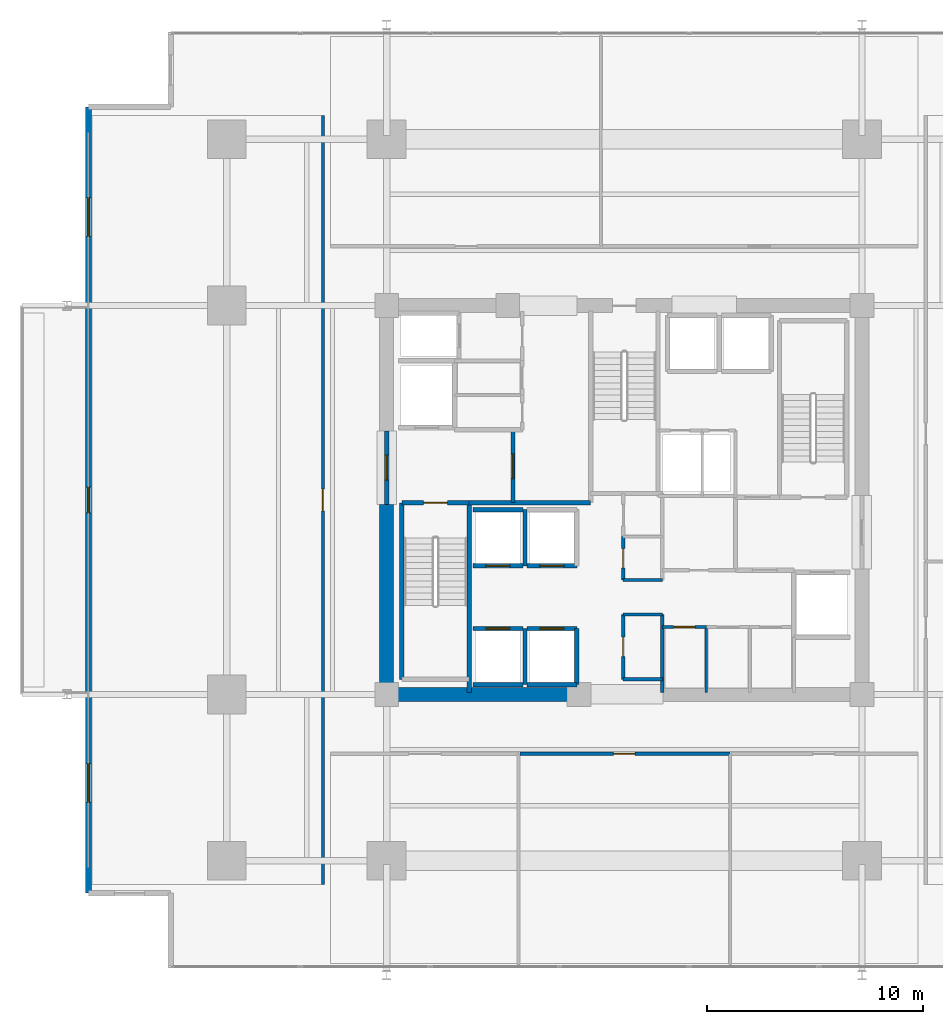
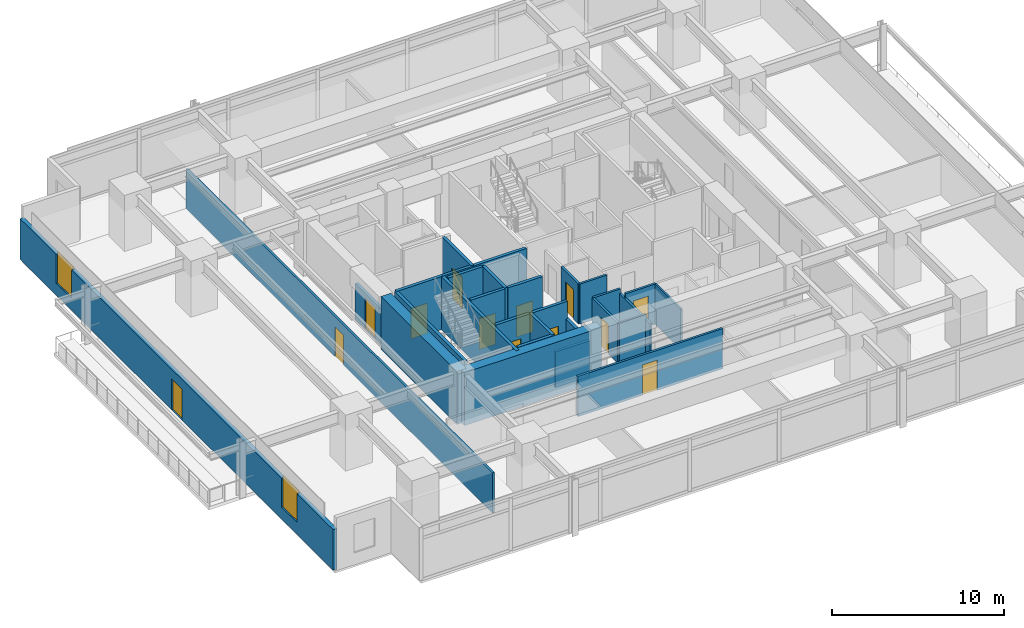
# One storey, part 14 of 21: 29 walls, 13 doors, 2 windows, 15 openings.
"""IFC4 building model written with IfcOpenShell, lengths in metres."""

from ifc_helpers import new_model, si_unit, direction, frame, frame_2d, origin, place, context, subcontext, project, spatial, rectangle, extrude, material, layer, layer_set, type_object, element, fill, save


model = new_model("IFC4")

# Units and contexts
model_context = context("Model", 3, precision=1e-05, world=origin(), true_north=direction((0.0, 1.0)))
body_context = subcontext(model_context, "Body", "Model", "MODEL_VIEW")
ifc_project = project(units=[si_unit("LENGTHUNIT", "METRE"), si_unit("AREAUNIT", "SQUARE_METRE"), si_unit("VOLUMEUNIT", "CUBIC_METRE"), si_unit("PLANEANGLEUNIT", "RADIAN"), si_unit("MASSUNIT", "GRAM", prefix="KILO")], contexts=[model_context])

# Site, building, storey
site_placement = place(None, origin())
site = spatial("IfcSite", under=ifc_project, at=site_placement, CompositionType="ELEMENT")
building_placement = place(site_placement, origin())
building = spatial("IfcBuilding", under=site, at=building_placement, Name="Kovane Verandah Tower", CompositionType="ELEMENT")
storey_placement = place(building_placement, frame((0.0, 0.0, 27.60009765625)))
storey = spatial("IfcBuildingStorey", under=building, at=storey_placement, Name="L05", CompositionType="ELEMENT", Elevation=27.60009765625)

# Walls
ifc_material_1 = material(Name="Fire-Rated Gypsum Stud Partition", Category="gypsum")
ifc_layer_1 = layer(ifc_material_1, 0.14990234375)
ifc_layer_set_1 = layer_set([ifc_layer_1], Name="Fire-Rated Gypsum Stud Partition")
wall_type_1 = type_object("IfcWallType", Name="WL-COR-150", PredefinedType="PARTITIONING", material=ifc_layer_set_1)
for number, where, z_axis, x_axis, name in (
    (1, (39.949951171875, 19.199951171875, 0.0), (0.0, 0.0, 1.0), (1.0, 0.0, 0.0), "L05 Central Core Strip South Wall"),
    (2, (39.949951171875, 22.199951171875, 0.0), (0.0, 0.0, 1.0), (1.0, 0.0, 0.0), "L05 Core Cross-Passage South Wall"),
    (3, (39.949951171875, 23.800048828125, 0.0), (0.0, 0.0, 1.0), (1.0, 0.0, 0.0), "L05 Core Cross-Passage North Wall"),
):
    element("IfcWall", number, at=place(storey_placement, frame(where, z_axis=z_axis, x_axis=x_axis)), inside=storey, type_object=wall_type_1, Name=name, PredefinedType="PARTITIONING", context=body_context, shape_type="SweptSolid", body=[
        extrude(rectangle(XDim=1.81005859375, YDim=0.14990234375, at=frame_2d((0.905029296875, 0.0))), origin(), (0.0, 0.0, 1.0), 2.849853515625),
    ])
wall_1_placement = place(storey_placement, frame((41.760009765625, 18.60009765625, 0.0), z_axis=(0.0, 0.0, 1.0), x_axis=(0.0, 1.0, 0.0)))
element("IfcWall", 4, at=wall_1_placement, inside=storey, type_object=wall_type_1, Name="L05 Central Core Strip Lower East Wall", PredefinedType="PARTITIONING", context=body_context, shape_type="SweptSolid", body=[
    extrude(rectangle(XDim=3.599853515625, YDim=0.14990234375, at=frame_2d((1.7998046875, 0.0))), origin(), (0.0, 0.0, 1.0), 2.539794921875),
])

# Wall, opening, door
wall_2_placement = place(storey_placement, frame((39.949951171875, 19.199951171875, 0.0), z_axis=(0.0, 0.0, 1.0), x_axis=(0.0, 1.0, 0.0)))
wall_2 = element("IfcWall", 5, at=wall_2_placement, inside=storey, type_object=wall_type_1, Name="L05 Male Toilet Partition", PredefinedType="PARTITIONING", context=body_context, shape_type="SweptSolid", body=[
    extrude(rectangle(XDim=3.0, YDim=0.14990234375, at=frame_2d((1.5, 0.0))), origin(), (0.0, 0.0, 1.0), 2.849853515625),
])
opening_1_placement = place(wall_2_placement, frame((1.050048828125, 0.0, 0.0)))
opening_1 = element("IfcOpeningElement", 6, at=opening_1_placement, cuts=wall_2, Name="Opening DR-L05-029", PredefinedType="OPENING", context=body_context, shape_type="SweptSolid", body=[
    extrude(rectangle(XDim=0.89990234375, YDim=2.10009765625, at=frame_2d((0.449951171875, 1.050048828125))), frame((0.0, 0.074951171875, 0.0), z_axis=(0.0, -1.0, 0.0), x_axis=(1.0, 0.0, 0.0)), (0.0, 0.0, 1.0), 0.14990234375),
])
ifc_material_2 = material(Name="Moisture-Resistant Laminate Washroom Door", Category="wood")
door_type_1 = type_object("IfcDoorType", Name="DR-WC-900", OperationType="SINGLE_SWING_LEFT", PredefinedType="DOOR", material=ifc_material_2)
door_1_placement = place(opening_1_placement, origin())
door_1 = element("IfcDoor", 7, at=door_1_placement, inside=storey, type_object=door_type_1, Name="L05 Male Toilet Door", OperationType="SINGLE_SWING_LEFT", OverallHeight=2.10009765625, OverallWidth=0.89990234375, PredefinedType="DOOR", context=body_context, shape_type="SweptSolid", body=[
    extrude(rectangle(XDim=0.89990234375, YDim=2.10009765625, at=frame_2d((0.449951171875, 1.050048828125))), frame((0.0, 0.02490234375, 0.0), z_axis=(0.0, -1.0, 0.0), x_axis=(1.0, 0.0, 0.0)), (0.0, 0.0, 1.0), 0.050048828125),
])
fill(opening_1, door_1)

wall_3_placement = place(storey_placement, frame((39.949951171875, 23.800048828125, 0.0), z_axis=(0.0, 0.0, 1.0), x_axis=(0.0, 1.0, 0.0)))
wall_3 = element("IfcWall", 8, at=wall_3_placement, inside=storey, type_object=wall_type_1, Name="L05 Female Toilet Partition", PredefinedType="PARTITIONING", context=body_context, shape_type="SweptSolid", body=[
    extrude(rectangle(XDim=2.0, YDim=0.14990234375, at=frame_2d((1.0, 0.0))), origin(), (0.0, 0.0, 1.0), 2.849853515625),
])
opening_2_placement = place(wall_3_placement, frame((0.550048828125, 0.0, 0.0)))
opening_2 = element("IfcOpeningElement", 9, at=opening_2_placement, cuts=wall_3, Name="Opening DR-L05-028", PredefinedType="OPENING", context=body_context, shape_type="SweptSolid", body=[
    extrude(rectangle(XDim=0.89990234375, YDim=2.10009765625, at=frame_2d((0.449951171875, 1.050048828125))), frame((0.0, 0.074951171875, 0.0), z_axis=(0.0, -1.0, 0.0), x_axis=(1.0, 0.0, 0.0)), (0.0, 0.0, 1.0), 0.14990234375),
])
door_2_placement = place(opening_2_placement, origin())
door_2 = element("IfcDoor", 10, at=door_2_placement, inside=storey, type_object=door_type_1, Name="L05 Female Toilet Door", OperationType="SINGLE_SWING_RIGHT", OverallHeight=2.10009765625, OverallWidth=0.89990234375, PredefinedType="DOOR", context=body_context, shape_type="SweptSolid", body=[
    extrude(rectangle(XDim=0.89990234375, YDim=2.10009765625, at=frame_2d((0.449951171875, 1.050048828125))), frame((0.0, 0.02490234375, 0.0), z_axis=(0.0, -1.0, 0.0), x_axis=(1.0, 0.0, 0.0)), (0.0, 0.0, 1.0), 0.050048828125),
])
fill(opening_2, door_2)

wall_4_placement = place(storey_placement, frame((41.760009765625, 21.6201171875, 0.0), z_axis=(0.0, 0.0, 1.0), x_axis=(1.0, 0.0, 0.0)))
wall_4 = element("IfcWall", 11, at=wall_4_placement, inside=storey, type_object=wall_type_1, Name="L05 Mail and Copy Room Partition", PredefinedType="PARTITIONING", context=body_context, shape_type="SweptSolid", body=[
    extrude(rectangle(XDim=2.0400390625, YDim=0.14990234375, at=frame_2d((1.02001953125, 0.0))), origin(), (0.0, 0.0, 1.0), 2.849853515625),
])
opening_3_placement = place(wall_4_placement, frame((0.52001953125, 0.0, 0.0)))
opening_3 = element("IfcOpeningElement", 12, at=opening_3_placement, cuts=wall_4, Name="Opening DR-L05-015", PredefinedType="OPENING", context=body_context, shape_type="SweptSolid", body=[
    extrude(rectangle(XDim=1.0, YDim=2.14990234375, at=frame_2d((0.5, 1.074951171875))), frame((0.0, 0.074951171875, 0.0), z_axis=(0.0, -1.0, 0.0), x_axis=(1.0, 0.0, 0.0)), (0.0, 0.0, 1.0), 0.14990234375),
])
ifc_material_3 = material(Name="FSC Spotted-Gum Timber Fire-Rated Office Door", Category="wood")
door_type_2 = type_object("IfcDoorType", Name="DR-OFF-1000", OperationType="SINGLE_SWING_LEFT", PredefinedType="DOOR", material=ifc_material_3)
door_3_placement = place(opening_3_placement, origin())
door_3 = element("IfcDoor", 13, at=door_3_placement, inside=storey, type_object=door_type_2, Name="L05 Mail and Copy Room Door", OperationType="SINGLE_SWING_LEFT", OverallHeight=2.14990234375, OverallWidth=1.0, PredefinedType="DOOR", context=body_context, shape_type="SweptSolid", body=[
    extrude(rectangle(XDim=1.0, YDim=2.14990234375, at=frame_2d((0.5, 1.074951171875))), frame((0.0, 0.02490234375, 0.0), z_axis=(0.0, -1.0, 0.0), x_axis=(1.0, 0.0, 0.0)), (0.0, 0.0, 1.0), 0.050048828125),
])
fill(opening_3, door_3)

wall_5_placement = place(storey_placement, frame((35.174072265625, 15.75, 0.0), z_axis=(0.0, 0.0, 1.0), x_axis=(1.0, 0.0, 0.0)))
wall_5 = element("IfcWall", 14, at=wall_5_placement, inside=storey, type_object=wall_type_1, Name="L05 Meeting Room S2 Corridor Partition", PredefinedType="PARTITIONING", context=body_context, shape_type="SweptSolid", body=[
    extrude(rectangle(XDim=9.721923828125, YDim=0.14990234375, at=frame_2d((4.86083984375, 0.0))), origin(), (0.0, 0.0, 1.0), 2.849853515625),
])
opening_4_placement = place(wall_5_placement, frame((4.325927734375, 0.0, 0.0)))
opening_4 = element("IfcOpeningElement", 15, at=opening_4_placement, cuts=wall_5, Name="Opening DR-L05-024", PredefinedType="OPENING", context=body_context, shape_type="SweptSolid", body=[
    extrude(rectangle(XDim=1.0, YDim=2.14990234375, at=frame_2d((0.5, 1.074951171875))), frame((0.0, 0.074951171875, 0.0), z_axis=(0.0, -1.0, 0.0), x_axis=(1.0, 0.0, 0.0)), (0.0, 0.0, 1.0), 0.14990234375),
])
door_4_placement = place(opening_4_placement, origin())
door_4 = element("IfcDoor", 16, at=door_4_placement, inside=storey, type_object=door_type_2, Name="L05 Meeting Room S2 Entrance Door", OperationType="SINGLE_SWING_RIGHT", OverallHeight=2.14990234375, OverallWidth=1.0, PredefinedType="DOOR", context=body_context, shape_type="SweptSolid", body=[
    extrude(rectangle(XDim=1.0, YDim=2.14990234375, at=frame_2d((0.5, 1.074951171875))), frame((0.0, 0.02490234375, 0.0), z_axis=(0.0, -1.0, 0.0), x_axis=(1.0, 0.0, 0.0)), (0.0, 0.0, 1.0), 0.050048828125),
])
fill(opening_4, door_4)

wall_6_placement = place(storey_placement, frame((26.050048828125, 9.699951171875, 0.0), z_axis=(0.0, 0.0, 1.0), x_axis=(0.0, 1.0, 0.0)))
wall_6 = element("IfcWall", 17, at=wall_6_placement, inside=storey, type_object=wall_type_1, Name="L05 Breakout Pantry W1 Corridor Partition", PredefinedType="PARTITIONING", context=body_context, shape_type="SweptSolid", body=[
    extrude(rectangle(XDim=35.60009765625, YDim=0.14990234375, at=frame_2d((17.800048828125, 0.0))), origin(), (0.0, 0.0, 1.0), 2.849853515625),
])
opening_5_placement = place(wall_6_placement, frame((17.300048828125, 0.0, 0.0)))
opening_5 = element("IfcOpeningElement", 18, at=opening_5_placement, cuts=wall_6, Name="Opening DR-L05-030", PredefinedType="OPENING", context=body_context, shape_type="SweptSolid", body=[
    extrude(rectangle(XDim=1.0, YDim=2.14990234375, at=frame_2d((0.5, 1.074951171875))), frame((0.0, 0.074951171875, 0.0), z_axis=(0.0, -1.0, 0.0), x_axis=(1.0, 0.0, 0.0)), (0.0, 0.0, 1.0), 0.14990234375),
])
door_5_placement = place(opening_5_placement, origin())
door_5 = element("IfcDoor", 19, at=door_5_placement, inside=storey, type_object=door_type_2, Name="L05 Breakout Pantry W1 Entrance Door", OperationType="SINGLE_SWING_RIGHT", OverallHeight=2.14990234375, OverallWidth=1.0, PredefinedType="DOOR", context=body_context, shape_type="SweptSolid", body=[
    extrude(rectangle(XDim=1.0, YDim=2.14990234375, at=frame_2d((0.5, 1.074951171875))), frame((0.0, 0.02490234375, 0.0), z_axis=(0.0, -1.0, 0.0), x_axis=(1.0, 0.0, 0.0)), (0.0, 0.0, 1.0), 0.050048828125),
])
fill(opening_5, door_5)

# Walls
ifc_material_4 = material(Name="Concrete C80/95", Category="concrete")
ifc_layer_2 = layer(ifc_material_4, 0.64990234375)
ifc_layer_set_2 = layer_set([ifc_layer_2], Name="Concrete C80/95")
wall_type_2 = type_object("IfcWallType", Name="WL-CORE-650", PredefinedType="SHEAR", material=ifc_layer_set_2)
wall_7_placement = place(storey_placement, frame((29.0, 18.5, 0.0), z_axis=(0.0, 0.0, 1.0), x_axis=(1.0, 0.0, 0.0)))
element("IfcWall", 20, at=wall_7_placement, inside=storey, type_object=wall_type_2, Name="L05 Core Shear Wall CS-1", PredefinedType="SHEAR", context=body_context, shape_type="SweptSolid", body=[
    extrude(rectangle(XDim=9.199951171875, YDim=0.64990234375, at=frame_2d((4.60009765625, 0.0))), origin(), (0.0, 0.0, 1.0), 3.760009765625),
])
wall_8_placement = place(storey_placement, frame((29.0, 18.5, 0.0), z_axis=(0.0, 0.0, 1.0), x_axis=(0.0, 1.0, 0.0)))
element("IfcWall", 21, at=wall_8_placement, inside=storey, type_object=wall_type_2, Name="L05 Core Shear Wall CW-1", PredefinedType="SHEAR", context=body_context, shape_type="SweptSolid", body=[
    extrude(rectangle(XDim=8.800048828125, YDim=0.64990234375, at=frame_2d((4.39990234375, 0.0))), origin(), (0.0, 0.0, 1.0), 3.760009765625),
])

# Wall, opening, door
ifc_material_5 = material(Name="Concrete C45/55 Fire Wall", Category="concrete")
ifc_layer_3 = layer(ifc_material_5, 0.199951171875)
ifc_layer_set_3 = layer_set([ifc_layer_3], Name="Concrete C45/55 Fire Wall")
wall_type_3 = type_object("IfcWallType", Name="WL-FFL-200", PredefinedType="PARTITIONING", material=ifc_layer_set_3)
wall_9_placement = place(storey_placement, frame((34.85009765625, 27.3798828125, 0.0), z_axis=(0.0, 0.0, 1.0), x_axis=(0.0, 1.0, 0.0)))
wall_9 = element("IfcWall", 22, at=wall_9_placement, inside=storey, type_object=wall_type_3, Name="W-L05-FFLW-E", PredefinedType="PARTITIONING", context=body_context, shape_type="SweptSolid", body=[
    extrude(rectangle(XDim=3.3701171875, YDim=0.199951171875, at=frame_2d((1.68505859375, 0.0))), origin(), (0.0, 0.0, 1.0), 3.760009765625),
])
opening_6_placement = place(wall_9_placement, frame((1.110107421875, 0.0, 0.0)))
opening_6 = element("IfcOpeningElement", 23, at=opening_6_placement, cuts=wall_9, Name="Opening DR-L05-006", PredefinedType="OPENING", context=body_context, shape_type="SweptSolid", body=[
    extrude(rectangle(XDim=1.14990234375, YDim=2.199951171875, at=frame_2d((0.574951171875, 1.10009765625))), frame((0.0, 0.10009765625, 0.0), z_axis=(0.0, -1.0, 0.0), x_axis=(1.0, 0.0, 0.0)), (0.0, 0.0, 1.0), 0.199951171875),
])
ifc_material_6 = material(Name="Smoke-Sealed Firefighting Lobby Door", Category="steel")
door_type_3 = type_object("IfcDoorType", Name="DR-FFL-1150", OperationType="SINGLE_SWING_LEFT", PredefinedType="DOOR", material=ifc_material_6)
door_6_placement = place(opening_6_placement, origin())
door_6 = element("IfcDoor", 24, at=door_6_placement, inside=storey, type_object=door_type_3, Name="L05 West Firefighting Lobby Inner Door", OperationType="SINGLE_SWING_LEFT", OverallHeight=2.199951171875, OverallWidth=1.14990234375, PredefinedType="DOOR", context=body_context, shape_type="SweptSolid", body=[
    extrude(rectangle(XDim=1.14990234375, YDim=2.199951171875, at=frame_2d((0.574951171875, 1.10009765625))), frame((0.0, 0.02490234375, 0.0), z_axis=(0.0, -1.0, 0.0), x_axis=(1.0, 0.0, 0.0)), (0.0, 0.0, 1.0), 0.050048828125),
])
fill(opening_6, door_6)

wall_10_placement = place(storey_placement, frame((29.0, 27.300048828125, 0.0), z_axis=(0.0, 0.0, 1.0), x_axis=(0.0, 1.0, 0.0)))
wall_10 = element("IfcWall", 25, at=wall_10_placement, inside=storey, type_object=wall_type_3, Name="W-L05-FFLW-OUT", PredefinedType="PARTITIONING", context=body_context, shape_type="SweptSolid", body=[
    extrude(rectangle(XDim=3.39990234375, YDim=0.199951171875, at=frame_2d((1.699951171875, 0.0))), origin(), (0.0, 0.0, 1.0), 2.539794921875),
])
opening_7_placement = place(wall_10_placement, frame((1.125, 0.0, 0.0)))
opening_7 = element("IfcOpeningElement", 26, at=opening_7_placement, cuts=wall_10, Name="Opening DR-L05-007", PredefinedType="OPENING", context=body_context, shape_type="SweptSolid", body=[
    extrude(rectangle(XDim=1.14990234375, YDim=2.199951171875, at=frame_2d((0.574951171875, 1.10009765625))), frame((0.0, 0.10009765625, 0.0), z_axis=(0.0, -1.0, 0.0), x_axis=(1.0, 0.0, 0.0)), (0.0, 0.0, 1.0), 0.199951171875),
])
door_7_placement = place(opening_7_placement, origin())
door_7 = element("IfcDoor", 27, at=door_7_placement, inside=storey, type_object=door_type_3, Name="L05 West Firefighting Lobby Corridor Door", OperationType="SINGLE_SWING_RIGHT", OverallHeight=2.199951171875, OverallWidth=1.14990234375, PredefinedType="DOOR", context=body_context, shape_type="SweptSolid", body=[
    extrude(rectangle(XDim=1.14990234375, YDim=2.199951171875, at=frame_2d((0.574951171875, 1.10009765625))), frame((0.0, 0.02490234375, 0.0), z_axis=(0.0, -1.0, 0.0), x_axis=(1.0, 0.0, 0.0)), (0.0, 0.0, 1.0), 0.050048828125),
])
fill(opening_7, door_7)

# Walls
wall_11_placement = place(storey_placement, frame((32.820068359375, 27.3798828125, 0.0), z_axis=(0.0, 0.0, 1.0), x_axis=(1.0, 0.0, 0.0)))
element("IfcWall", 28, at=wall_11_placement, inside=storey, type_object=wall_type_3, Name="L05 West Firefighting Lobby South Fire Wall", PredefinedType="PARTITIONING", context=body_context, shape_type="SweptSolid", body=[
    extrude(rectangle(XDim=5.619873046875, YDim=0.199951171875, at=frame_2d((2.81005859375, 0.0))), origin(), (0.0, 0.0, 1.0), 3.760009765625),
])
ifc_material_7 = material(Name="Concrete C45/55 Lift Shaft Wall", Category="concrete")
ifc_layer_4 = layer(ifc_material_7, 0.199951171875)
ifc_layer_set_4 = layer_set([ifc_layer_4], Name="Concrete C45/55 Lift Shaft Wall")
wall_type_4 = type_object("IfcWallType", Name="WL-LIFT-200", PredefinedType="SOLIDWALL", material=ifc_layer_set_4)
wall_12_placement = place(storey_placement, frame((33.0, 18.949951171875, 0.0), z_axis=(0.0, 0.0, 1.0), x_axis=(1.0, 0.0, 0.0)))
element("IfcWall", 29, at=wall_12_placement, inside=storey, type_object=wall_type_4, Name="L05 Lift PL-L1 S Shaft Wall", PredefinedType="SOLIDWALL", context=body_context, shape_type="SweptSolid", body=[
    extrude(rectangle(XDim=2.300048828125, YDim=0.199951171875, at=frame_2d((1.14990234375, 0.0))), origin(), (0.0, 0.0, 1.0), 3.760009765625),
])

# Wall, opening, door
wall_13_placement = place(storey_placement, frame((35.300048828125, 21.550048828125, 0.0), z_axis=(0.0, 0.0, 1.0), x_axis=(-1.0, 0.0, 0.0)))
wall_13 = element("IfcWall", 30, at=wall_13_placement, inside=storey, type_object=wall_type_4, Name="L05 Lift PL-L1 N Shaft Wall", PredefinedType="SOLIDWALL", context=body_context, shape_type="SweptSolid", body=[
    extrude(rectangle(XDim=2.300048828125, YDim=0.199951171875, at=frame_2d((1.14990234375, 0.0))), origin(), (0.0, 0.0, 1.0), 3.760009765625),
])
opening_8_placement = place(wall_13_placement, frame((0.60009765625, 0.0, 0.0)))
opening_8 = element("IfcOpeningElement", 31, at=opening_8_placement, cuts=wall_13, Name="Opening LD-L05-004", PredefinedType="OPENING", context=body_context, shape_type="SweptSolid", body=[
    extrude(rectangle(XDim=1.10009765625, YDim=2.199951171875, at=frame_2d((0.550048828125, 1.10009765625))), frame((0.0, 0.10009765625, 0.0), z_axis=(0.0, -1.0, 0.0), x_axis=(1.0, 0.0, 0.0)), (0.0, 0.0, 1.0), 0.199951171875),
])
ifc_material_8 = material(Name="Brushed Stainless Steel Sliding Lift Landing Door", Category="steel")
door_type_4 = type_object("IfcDoorType", Name="DR-LIFT-1100", OperationType="SLIDING_TO_RIGHT", PredefinedType="DOOR", material=ifc_material_8)
door_8_placement = place(opening_8_placement, origin())
door_8 = element("IfcDoor", 32, at=door_8_placement, inside=storey, type_object=door_type_4, Name="L05 Lift PL-L1 Sliding Landing Door", OperationType="SLIDING_TO_RIGHT", OverallHeight=2.199951171875, OverallWidth=1.10009765625, PredefinedType="DOOR", context=body_context, shape_type="SweptSolid", body=[
    extrude(rectangle(XDim=1.10009765625, YDim=2.199951171875, at=frame_2d((0.550048828125, 1.10009765625))), frame((0.0, 0.02490234375, 0.0), z_axis=(0.0, -1.0, 0.0), x_axis=(1.0, 0.0, 0.0)), (0.0, 0.0, 1.0), 0.050048828125),
])
fill(opening_8, door_8)

# Walls
wall_14_placement = place(storey_placement, frame((35.39990234375, 18.949951171875, 0.0), z_axis=(0.0, 0.0, 1.0), x_axis=(0.0, 1.0, 0.0)))
element("IfcWall", 33, at=wall_14_placement, inside=storey, type_object=wall_type_4, Name="L05 Lift PL-L1 and PL-L2 Shared Shaft Wall", PredefinedType="SOLIDWALL", context=body_context, shape_type="SweptSolid", body=[
    extrude(rectangle(XDim=2.60009765625, YDim=0.199951171875, at=frame_2d((1.300048828125, 0.0))), origin(), (0.0, 0.0, 1.0), 3.760009765625),
])
wall_15_placement = place(storey_placement, frame((35.5, 18.949951171875, 0.0), z_axis=(0.0, 0.0, 1.0), x_axis=(1.0, 0.0, 0.0)))
element("IfcWall", 34, at=wall_15_placement, inside=storey, type_object=wall_type_4, Name="L05 Lift PL-L2 S Shaft Wall", PredefinedType="SOLIDWALL", context=body_context, shape_type="SweptSolid", body=[
    extrude(rectangle(XDim=2.300048828125, YDim=0.199951171875, at=frame_2d((1.14990234375, 0.0))), origin(), (0.0, 0.0, 1.0), 2.539794921875),
])

# Wall, opening, door
wall_16_placement = place(storey_placement, frame((37.800048828125, 21.550048828125, 0.0), z_axis=(0.0, 0.0, 1.0), x_axis=(-1.0, 0.0, 0.0)))
wall_16 = element("IfcWall", 35, at=wall_16_placement, inside=storey, type_object=wall_type_4, Name="L05 Lift PL-L2 N Shaft Wall", PredefinedType="SOLIDWALL", context=body_context, shape_type="SweptSolid", body=[
    extrude(rectangle(XDim=2.300048828125, YDim=0.199951171875, at=frame_2d((1.14990234375, 0.0))), origin(), (0.0, 0.0, 1.0), 3.760009765625),
])
opening_9_placement = place(wall_16_placement, frame((0.60009765625, 0.0, 0.0)))
opening_9 = element("IfcOpeningElement", 36, at=opening_9_placement, cuts=wall_16, Name="Opening LD-L05-005", PredefinedType="OPENING", context=body_context, shape_type="SweptSolid", body=[
    extrude(rectangle(XDim=1.10009765625, YDim=2.199951171875, at=frame_2d((0.550048828125, 1.10009765625))), frame((0.0, 0.10009765625, 0.0), z_axis=(0.0, -1.0, 0.0), x_axis=(1.0, 0.0, 0.0)), (0.0, 0.0, 1.0), 0.199951171875),
])
door_9_placement = place(opening_9_placement, origin())
door_9 = element("IfcDoor", 37, at=door_9_placement, inside=storey, type_object=door_type_4, Name="L05 Lift PL-L2 Sliding Landing Door", OperationType="SLIDING_TO_RIGHT", OverallHeight=2.199951171875, OverallWidth=1.10009765625, PredefinedType="DOOR", context=body_context, shape_type="SweptSolid", body=[
    extrude(rectangle(XDim=1.10009765625, YDim=2.199951171875, at=frame_2d((0.550048828125, 1.10009765625))), frame((0.0, 0.02490234375, 0.0), z_axis=(0.0, -1.0, 0.0), x_axis=(1.0, 0.0, 0.0)), (0.0, 0.0, 1.0), 0.050048828125),
])
fill(opening_9, door_9)

# Wall
wall_17_placement = place(storey_placement, frame((37.800048828125, 18.949951171875, 0.0), z_axis=(0.0, 0.0, 1.0), x_axis=(0.0, 1.0, 0.0)))
element("IfcWall", 38, at=wall_17_placement, inside=storey, type_object=wall_type_4, Name="L05 Lift PL-L2 E Shaft Wall", PredefinedType="SOLIDWALL", context=body_context, shape_type="SweptSolid", body=[
    extrude(rectangle(XDim=2.60009765625, YDim=0.199951171875, at=frame_2d((1.300048828125, 0.0))), origin(), (0.0, 0.0, 1.0), 2.539794921875),
])

# Wall, opening, door
wall_18_placement = place(storey_placement, frame((33.0, 24.449951171875, 0.0), z_axis=(0.0, 0.0, 1.0), x_axis=(1.0, 0.0, 0.0)))
wall_18 = element("IfcWall", 39, at=wall_18_placement, inside=storey, type_object=wall_type_4, Name="L05 Lift PL-L3 S Shaft Wall", PredefinedType="SOLIDWALL", context=body_context, shape_type="SweptSolid", body=[
    extrude(rectangle(XDim=2.300048828125, YDim=0.199951171875, at=frame_2d((1.14990234375, 0.0))), origin(), (0.0, 0.0, 1.0), 3.760009765625),
])
opening_10_placement = place(wall_18_placement, frame((0.60009765625, 0.0, 0.0)))
opening_10 = element("IfcOpeningElement", 40, at=opening_10_placement, cuts=wall_18, Name="Opening LD-L05-006", PredefinedType="OPENING", context=body_context, shape_type="SweptSolid", body=[
    extrude(rectangle(XDim=1.10009765625, YDim=2.199951171875, at=frame_2d((0.550048828125, 1.10009765625))), frame((0.0, 0.10009765625, 0.0), z_axis=(0.0, -1.0, 0.0), x_axis=(1.0, 0.0, 0.0)), (0.0, 0.0, 1.0), 0.199951171875),
])
door_10_placement = place(opening_10_placement, origin())
door_10 = element("IfcDoor", 41, at=door_10_placement, inside=storey, type_object=door_type_4, Name="L05 Lift PL-L3 Sliding Landing Door", OperationType="SLIDING_TO_RIGHT", OverallHeight=2.199951171875, OverallWidth=1.10009765625, PredefinedType="DOOR", context=body_context, shape_type="SweptSolid", body=[
    extrude(rectangle(XDim=1.10009765625, YDim=2.199951171875, at=frame_2d((0.550048828125, 1.10009765625))), frame((0.0, 0.02490234375, 0.0), z_axis=(0.0, -1.0, 0.0), x_axis=(1.0, 0.0, 0.0)), (0.0, 0.0, 1.0), 0.050048828125),
])
fill(opening_10, door_10)

# Walls
wall_19_placement = place(storey_placement, frame((35.300048828125, 27.050048828125, 0.0), z_axis=(0.0, 0.0, 1.0), x_axis=(-1.0, 0.0, 0.0)))
element("IfcWall", 42, at=wall_19_placement, inside=storey, type_object=wall_type_4, Name="L05 Lift PL-L3 N Shaft Wall", PredefinedType="SOLIDWALL", context=body_context, shape_type="SweptSolid", body=[
    extrude(rectangle(XDim=2.300048828125, YDim=0.199951171875, at=frame_2d((1.14990234375, 0.0))), origin(), (0.0, 0.0, 1.0), 3.760009765625),
])
wall_20_placement = place(storey_placement, frame((35.39990234375, 24.449951171875, 0.0), z_axis=(0.0, 0.0, 1.0), x_axis=(0.0, 1.0, 0.0)))
element("IfcWall", 43, at=wall_20_placement, inside=storey, type_object=wall_type_4, Name="L05 Lift PL-L3 and PL-L4 Shared Shaft Wall", PredefinedType="SOLIDWALL", context=body_context, shape_type="SweptSolid", body=[
    extrude(rectangle(XDim=2.60009765625, YDim=0.199951171875, at=frame_2d((1.300048828125, 0.0))), origin(), (0.0, 0.0, 1.0), 3.760009765625),
])

# Wall, opening, door
wall_21_placement = place(storey_placement, frame((35.5, 24.449951171875, 0.0), z_axis=(0.0, 0.0, 1.0), x_axis=(1.0, 0.0, 0.0)))
wall_21 = element("IfcWall", 44, at=wall_21_placement, inside=storey, type_object=wall_type_4, Name="L05 Lift PL-L4 S Shaft Wall", PredefinedType="SOLIDWALL", context=body_context, shape_type="SweptSolid", body=[
    extrude(rectangle(XDim=2.300048828125, YDim=0.199951171875, at=frame_2d((1.14990234375, 0.0))), origin(), (0.0, 0.0, 1.0), 3.760009765625),
])
opening_11_placement = place(wall_21_placement, frame((0.60009765625, 0.0, 0.0)))
opening_11 = element("IfcOpeningElement", 45, at=opening_11_placement, cuts=wall_21, Name="Opening LD-L05-007", PredefinedType="OPENING", context=body_context, shape_type="SweptSolid", body=[
    extrude(rectangle(XDim=1.10009765625, YDim=2.199951171875, at=frame_2d((0.550048828125, 1.10009765625))), frame((0.0, 0.10009765625, 0.0), z_axis=(0.0, -1.0, 0.0), x_axis=(1.0, 0.0, 0.0)), (0.0, 0.0, 1.0), 0.199951171875),
])
door_11_placement = place(opening_11_placement, origin())
door_11 = element("IfcDoor", 46, at=door_11_placement, inside=storey, type_object=door_type_4, Name="L05 Lift PL-L4 Sliding Landing Door", OperationType="SLIDING_TO_RIGHT", OverallHeight=2.199951171875, OverallWidth=1.10009765625, PredefinedType="DOOR", context=body_context, shape_type="SweptSolid", body=[
    extrude(rectangle(XDim=1.10009765625, YDim=2.199951171875, at=frame_2d((0.550048828125, 1.10009765625))), frame((0.0, 0.02490234375, 0.0), z_axis=(0.0, -1.0, 0.0), x_axis=(1.0, 0.0, 0.0)), (0.0, 0.0, 1.0), 0.050048828125),
])
fill(opening_11, door_11)

# Walls
ifc_material_9 = material(Name="Acoustic Fire-Rated Gypsum Partition", Category="gypsum")
ifc_layer_5 = layer(ifc_material_9, 0.1201171875)
ifc_layer_set_5 = layer_set([ifc_layer_5], Name="Acoustic Fire-Rated Gypsum Partition")
wall_type_5 = type_object("IfcWallType", Name="WL-PART-120", PredefinedType="PARTITIONING", material=ifc_layer_set_5)
wall_22_placement = place(storey_placement, frame((43.800048828125, 18.60009765625, 0.0), z_axis=(0.0, 0.0, 1.0), x_axis=(0.0, 1.0, 0.0)))
element("IfcWall", 47, at=wall_22_placement, inside=storey, type_object=wall_type_5, Name="L05 East Core Support Dividing Partition 1", PredefinedType="PARTITIONING", context=body_context, shape_type="SweptSolid", body=[
    extrude(rectangle(XDim=3.02001953125, YDim=0.1201171875, at=frame_2d((1.510009765625, 0.0))), origin(), (0.0, 0.0, 1.0), 2.849853515625),
])
ifc_material_10 = material(Name="Concrete C45/55", Category="concrete")
ifc_layer_6 = layer(ifc_material_10, 0.199951171875)
ifc_layer_set_6 = layer_set([ifc_layer_6], Name="Concrete C45/55")
wall_type_6 = type_object("IfcWallType", Name="WL-SHAFT-200", PredefinedType="SOLIDWALL", material=ifc_layer_set_6)
wall_23_placement = place(storey_placement, frame((29.699951171875, 19.199951171875, 0.0), z_axis=(0.0, 0.0, 1.0), x_axis=(0.0, 1.0, 0.0)))
element("IfcWall", 48, at=wall_23_placement, inside=storey, type_object=wall_type_6, Name="W-L05-ST01-W", PredefinedType="SOLIDWALL", context=body_context, shape_type="SweptSolid", body=[
    extrude(rectangle(XDim=8.150146484375, YDim=0.199951171875, at=frame_2d((4.0751953125, 0.0))), origin(), (0.0, 0.0, 1.0), 3.760009765625),
])
wall_24_placement = place(storey_placement, frame((32.820068359375, 18.60009765625, 0.0), z_axis=(0.0, 0.0, 1.0), x_axis=(0.0, 1.0, 0.0)))
element("IfcWall", 49, at=wall_24_placement, inside=storey, type_object=wall_type_6, Name="W-L05-ST01-E", PredefinedType="SOLIDWALL", context=body_context, shape_type="SweptSolid", body=[
    extrude(rectangle(XDim=8.77978515625, YDim=0.199951171875, at=frame_2d((4.389892578125, 0.0))), origin(), (0.0, 0.0, 1.0), 3.760009765625),
])

# Wall, opening, door
wall_25_placement = place(storey_placement, frame((29.699951171875, 27.3798828125, 0.0), z_axis=(0.0, 0.0, 1.0), x_axis=(1.0, 0.0, 0.0)))
wall_25 = element("IfcWall", 50, at=wall_25_placement, inside=storey, type_object=wall_type_6, Name="W-L05-ST01-N", PredefinedType="SOLIDWALL", context=body_context, shape_type="SweptSolid", body=[
    extrude(rectangle(XDim=3.1201171875, YDim=0.199951171875, at=frame_2d((1.56005859375, 0.0))), origin(), (0.0, 0.0, 1.0), 3.760009765625),
])
opening_12_placement = place(wall_25_placement, frame((1.010009765625, 0.0, 0.0)))
opening_12 = element("IfcOpeningElement", 51, at=opening_12_placement, cuts=wall_25, Name="Opening DR-L05-009", PredefinedType="OPENING", context=body_context, shape_type="SweptSolid", body=[
    extrude(rectangle(XDim=1.10009765625, YDim=2.14990234375, at=frame_2d((0.550048828125, 1.074951171875))), frame((0.0, 0.10009765625, 0.0), z_axis=(0.0, -1.0, 0.0), x_axis=(1.0, 0.0, 0.0)), (0.0, 0.0, 1.0), 0.199951171875),
])
ifc_material_11 = material(Name="Fire-Rated Steel Exit Door", Category="steel")
door_type_5 = type_object("IfcDoorType", Name="DR-STAIR-1100", OperationType="SINGLE_SWING_LEFT", PredefinedType="DOOR", material=ifc_material_11)
door_12_placement = place(opening_12_placement, origin())
door_12 = element("IfcDoor", 52, at=door_12_placement, inside=storey, type_object=door_type_5, Name="L05 ST-01 Fire Exit Stair Door", OperationType="SINGLE_SWING_RIGHT", OverallHeight=2.14990234375, OverallWidth=1.10009765625, PredefinedType="DOOR", context=body_context, shape_type="SweptSolid", body=[
    extrude(rectangle(XDim=1.10009765625, YDim=2.14990234375, at=frame_2d((0.550048828125, 1.074951171875))), frame((0.0, 0.02490234375, 0.0), z_axis=(0.0, -1.0, 0.0), x_axis=(1.0, 0.0, 0.0)), (0.0, 0.0, 1.0), 0.050048828125),
])
fill(opening_12, door_12)

# Wall, openings, door, windows
ifc_material_12 = material(Name="Concrete C45/55 Insulated Spandrel Wall", Category="concrete")
ifc_layer_7 = layer(ifc_material_12, 0.260009765625)
ifc_layer_set_7 = layer_set([ifc_layer_7], Name="Concrete C45/55 Insulated Spandrel Wall")
wall_type_7 = type_object("IfcWallType", Name="WL-SPANDREL-260", PredefinedType="PARAPET", material=ifc_layer_set_7)
wall_26_placement = place(storey_placement, frame((15.199951171875, 45.699951171875, 0.0), z_axis=(0.0, 0.0, 1.0), x_axis=(0.0, -1.0, 0.0)))
wall_26 = element("IfcWall", 53, at=wall_26_placement, inside=storey, type_object=wall_type_7, Name="L05 W Verandah Access Facade Wall", PredefinedType="PARAPET", context=body_context, shape_type="SweptSolid", body=[
    extrude(rectangle(XDim=36.39990234375, YDim=0.260009765625, at=frame_2d((18.199951171875, 0.0))), origin(), (0.0, 0.0, 1.0), 2.888916015625),
])
opening_13_placement = place(wall_26_placement, frame((4.199951171875, 0.0, 0.85009765625)))
opening_13 = element("IfcOpeningElement", 54, at=opening_13_placement, cuts=wall_26, Name="Opening W-03", PredefinedType="OPENING", context=body_context, shape_type="SweptSolid", body=[
    extrude(rectangle(XDim=1.800048828125, YDim=2.199951171875, at=frame_2d((0.89990234375, 1.10009765625))), frame((0.0, 0.1298828125, 0.0), z_axis=(0.0, -1.0, 0.0), x_axis=(1.0, 0.0, 0.0)), (0.0, 0.0, 1.0), 0.260009765625),
])
opening_14_placement = place(wall_26_placement, frame((17.60009765625, 0.0, 0.0)))
opening_14 = element("IfcOpeningElement", 55, at=opening_14_placement, cuts=wall_26, Name="Opening DR-L05-002", PredefinedType="OPENING", context=body_context, shape_type="SweptSolid", body=[
    extrude(rectangle(XDim=1.199951171875, YDim=2.199951171875, at=frame_2d((0.60009765625, 1.10009765625))), frame((0.0, 0.1298828125, 0.0), z_axis=(0.0, -1.0, 0.0), x_axis=(1.0, 0.0, 0.0)), (0.0, 0.0, 1.0), 0.260009765625),
])
opening_15_placement = place(wall_26_placement, frame((30.39990234375, 0.0, 0.85009765625)))
opening_15 = element("IfcOpeningElement", 56, at=opening_15_placement, cuts=wall_26, Name="Opening W-03", PredefinedType="OPENING", context=body_context, shape_type="SweptSolid", body=[
    extrude(rectangle(XDim=1.800048828125, YDim=2.199951171875, at=frame_2d((0.89990234375, 1.10009765625))), frame((0.0, 0.1298828125, 0.0), z_axis=(0.0, -1.0, 0.0), x_axis=(1.0, 0.0, 0.0)), (0.0, 0.0, 1.0), 0.260009765625),
])
ifc_material_13 = material(Name="Cyclone-Rated Glazed Balcony Leaf Door", Category="aluminium")
door_type_6 = type_object("IfcDoorType", Name="DR-BAL-1200x2200", OperationType="SINGLE_SWING_LEFT", PredefinedType="DOOR", material=ifc_material_13)
door_13_placement = place(opening_14_placement, origin())
door_13 = element("IfcDoor", 57, at=door_13_placement, inside=storey, type_object=door_type_6, Name="L05 W Planted Balcony Access Door", OperationType="SINGLE_SWING_LEFT", OverallHeight=2.199951171875, OverallWidth=1.199951171875, PredefinedType="DOOR", context=body_context, shape_type="SweptSolid", body=[
    extrude(rectangle(XDim=1.199951171875, YDim=2.199951171875, at=frame_2d((0.60009765625, 1.10009765625))), frame((0.0, 0.02490234375, 0.0), z_axis=(0.0, -1.0, 0.0), x_axis=(1.0, 0.0, 0.0)), (0.0, 0.0, 1.0), 0.050048828125),
])
fill(opening_14, door_13)
ifc_material_14 = material(Name="Clear Low-E Laminated Double Glazing in Anodised Frame", Category="glass")
window_type = type_object("IfcWindowType", Name="WN-NOTCH-1800x2200", PartitioningType="SINGLE_PANEL", PredefinedType="WINDOW", material=ifc_material_14)
window_1_placement = place(opening_13_placement, origin())
window_1 = element("IfcWindow", 58, at=window_1_placement, inside=storey, type_object=window_type, Name="L05 W Verandah View Window 1", OverallHeight=2.199951171875, OverallWidth=1.800048828125, PartitioningType="SINGLE_PANEL", PredefinedType="WINDOW", context=body_context, shape_type="SweptSolid", body=[
    extrude(rectangle(XDim=1.800048828125, YDim=2.199951171875, at=frame_2d((0.89990234375, 1.10009765625))), frame((0.0, 0.030029296875, 0.0), z_axis=(0.0, -1.0, 0.0), x_axis=(1.0, 0.0, 0.0)), (0.0, 0.0, 1.0), 0.06005859375),
])
fill(opening_13, window_1)
window_2_placement = place(opening_15_placement, origin())
window_2 = element("IfcWindow", 59, at=window_2_placement, inside=storey, type_object=window_type, Name="L05 W Verandah View Window 2", OverallHeight=2.199951171875, OverallWidth=1.800048828125, PartitioningType="SINGLE_PANEL", PredefinedType="WINDOW", context=body_context, shape_type="SweptSolid", body=[
    extrude(rectangle(XDim=1.800048828125, YDim=2.199951171875, at=frame_2d((0.89990234375, 1.10009765625))), frame((0.0, 0.030029296875, 0.0), z_axis=(0.0, -1.0, 0.0), x_axis=(1.0, 0.0, 0.0)), (0.0, 0.0, 1.0), 0.06005859375),
])
fill(opening_15, window_2)

save(model, "model.ifc")
